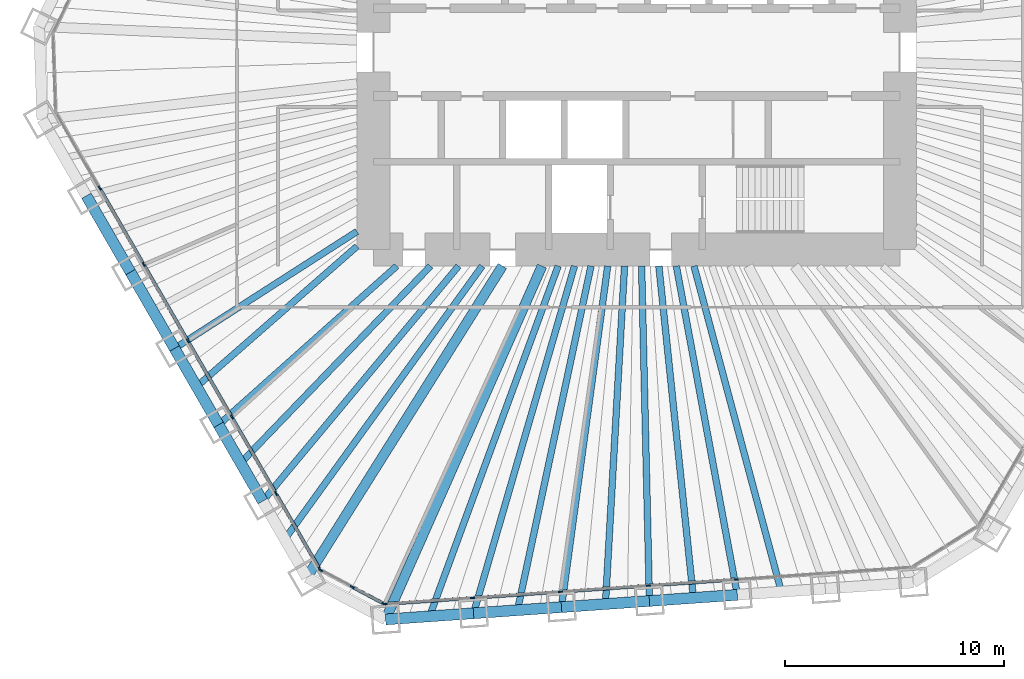
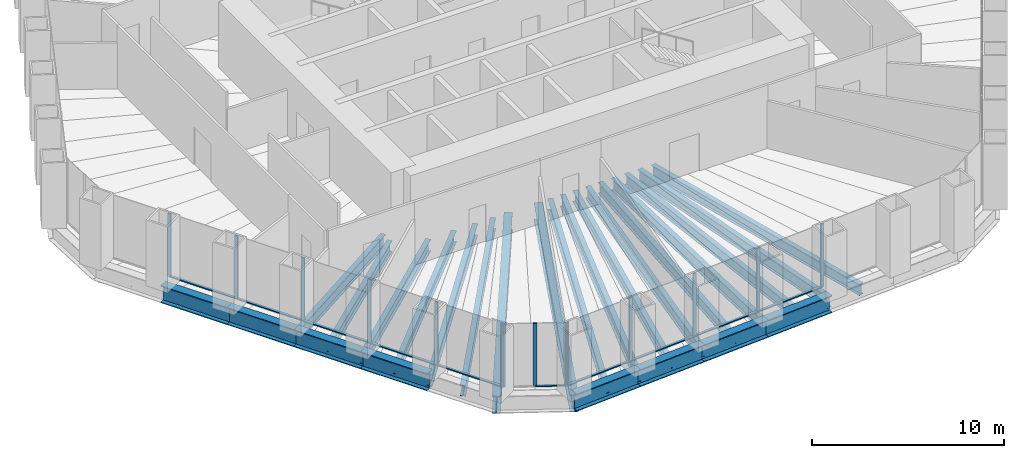
# One storey, part 2 of 13: 25 beams, 24 members, 3 elements without a shape of their own.
"""IFC4 building model written with IfcOpenShell, lengths in metres."""

import ifcopenshell
import ifcopenshell.guid

model = None  # the IFC model being written
_history = None  # IfcOwnerHistory: only IFC2X3 demands one
_inside = {}  # id of a spatial element -> (the spatial element, [elements in it])
_under = {}  # id of a project, library or spatial element -> (it, [spatial elements below it])
_declared = {}  # id of a project -> (the project, [libraries it declares])
_typed = {}  # id of a type object -> (the type object, [elements of that type])
_made_of = {}  # id of a material, layer set ... -> (it, [elements and type objects made of it])


def new_model(schema):
    """Start an empty IFC model of exactly this schema.

    Asked for "IFC4X3", IfcOpenShell would pick the latest addendum, in which some entities
    have other attributes; the version numbers below select the first issue.
    IFC2X3 requires an IfcOwnerHistory on every rooted entity: one is made here for all.
    """
    global model, _history
    if schema == "IFC4X3":
        model = ifcopenshell.file(schema_version=(4, 3, 0, 0))
    else:
        model = ifcopenshell.file(schema=schema)
    _inside.clear()
    _under.clear()
    _declared.clear()
    _typed.clear()
    _made_of.clear()
    _history = None
    if model.schema == "IFC2X3":
        org = make("IfcOrganization", Name="unknown")
        user = make(
            "IfcPersonAndOrganization",
            ThePerson=make("IfcPerson", FamilyName="unknown"),
            TheOrganization=org,
        )
        app = make(
            "IfcApplication",
            ApplicationDeveloper=org,
            Version="unknown",
            ApplicationFullName="unknown",
            ApplicationIdentifier="unknown",
        )
        _history = make(
            "IfcOwnerHistory",
            OwningUser=user,
            OwningApplication=app,
            ChangeAction="ADDED",
            CreationDate=0,
        )
    return model


def make(cls, **values):
    """One entity of the class cls with the attributes given. An attribute that is None is left unset."""
    return model.create_entity(
        cls, **{name: value for name, value in values.items() if value is not None}
    )


def rooted(cls, **values):
    """An entity with a GlobalId (a new one), such as an element, a storey or a relation."""
    return make(cls, GlobalId=ifcopenshell.guid.new(), OwnerHistory=_history, **values)


def si_unit(unit_type, name, prefix=None):
    """IfcSIUnit, for example si_unit("LENGTHUNIT", "METRE", prefix="MILLI")."""
    return make("IfcSIUnit", UnitType=unit_type, Prefix=prefix, Name=name)


def assignment(units):
    """IfcUnitAssignment: the units of a project."""
    return None if units is None else make("IfcUnitAssignment", Units=units)


def point(xyz):
    """IfcCartesianPoint."""
    return None if xyz is None else make("IfcCartesianPoint", Coordinates=xyz)


def direction(xyz):
    """IfcDirection."""
    return None if xyz is None else make("IfcDirection", DirectionRatios=xyz)


def frame(location, z_axis=None, x_axis=None):
    """IfcAxis2Placement3D, a coordinate frame: its origin and axes. An axis left out is left unset."""
    return make(
        "IfcAxis2Placement3D",
        Location=point(location),
        Axis=direction(z_axis),
        RefDirection=direction(x_axis),
    )


def frame_2d(location, x_axis=None):
    """IfcAxis2Placement2D, a coordinate frame in the plane: its origin and x axis."""
    return make(
        "IfcAxis2Placement2D", Location=point(location), RefDirection=direction(x_axis)
    )


def origin():
    """The frame at (0, 0, 0) with its axes left unset."""
    return frame((0.0, 0.0, 0.0))


def origin_2d():
    """The frame at (0, 0) in the plane with its x axis left unset."""
    return frame_2d((0.0, 0.0))


def place(relative_to, where):
    """IfcLocalPlacement: puts the frame where relative to a parent placement (None: the world)."""
    return make(
        "IfcLocalPlacement", PlacementRelTo=relative_to, RelativePlacement=where
    )


def context(
    kind, dimensions, precision=None, world=None, true_north=None, identifier=None
):
    """IfcGeometricRepresentationContext, for example the 3D "Model" context."""
    return make(
        "IfcGeometricRepresentationContext",
        ContextIdentifier=identifier,
        ContextType=kind,
        CoordinateSpaceDimension=dimensions,
        Precision=precision,
        WorldCoordinateSystem=world,
        TrueNorth=true_north,
    )


def subcontext(parent, identifier, kind, view, scale=None):
    """IfcGeometricRepresentationSubContext, for example "Body" below "Model"."""
    return make(
        "IfcGeometricRepresentationSubContext",
        ContextIdentifier=identifier,
        ContextType=kind,
        ParentContext=parent,
        TargetScale=scale,
        TargetView=view,
    )


def project(units=None, contexts=None):
    """IfcProject with its units and contexts."""
    return rooted(
        "IfcProject",
        Name="project",
        RepresentationContexts=contexts,
        UnitsInContext=assignment(units),
    )


def spatial(cls, under=None, at=None, **own):
    """A site, building, storey or space (cls), placed at a placement, below another one or the project."""
    s = rooted(cls, ObjectPlacement=at, **own)
    if under is not None:
        _under.setdefault(under.id(), (under, []))[1].append(s)
    return s


def profile(cls, at=None, kind="AREA", **sizes):
    """A parametric profile (cls). Its sizes go by their IFC names, for example OverallWidth=200.0."""
    return make(cls, ProfileType=kind, Position=at, **sizes)


def rectangle(**sizes):
    """IfcRectangleProfileDef."""
    return profile("IfcRectangleProfileDef", **sizes)


def i_section(**sizes):
    """IfcIShapeProfileDef."""
    return profile("IfcIShapeProfileDef", **sizes)


def extrude(swept, where, along, depth):
    """IfcExtrudedAreaSolid: the profile swept, set in the frame where, extruded along a direction by depth."""
    return make(
        "IfcExtrudedAreaSolid",
        SweptArea=swept,
        Position=where,
        ExtrudedDirection=direction(along),
        Depth=depth,
    )


def shape(context_of_items, identifier, shape_type, items):
    """IfcShapeRepresentation: the items that make up one representation, for example the "Body"."""
    return make(
        "IfcShapeRepresentation",
        ContextOfItems=context_of_items,
        RepresentationIdentifier=identifier,
        RepresentationType=shape_type,
        Items=items,
    )


def material(Name=None, Category=None):
    """IfcMaterial."""
    return make("IfcMaterial", Name=Name, Category=Category)


def material_profile(
    of_material, cross_section, Name=None, Category=None, Priority=None
):
    """IfcMaterialProfile: a cross section and its material."""
    return make(
        "IfcMaterialProfile",
        Name=Name,
        Material=of_material,
        Profile=cross_section,
        Priority=Priority,
        Category=Category,
    )


def profile_set(profiles, Name=None, composite=None):
    """IfcMaterialProfileSet."""
    return make(
        "IfcMaterialProfileSet",
        Name=Name,
        MaterialProfiles=profiles,
        CompositeProfile=composite,
    )


def made_of(thing, what):
    """Note that an element or type object is made of a material, layer set ...; save() writes the relation."""
    if what is not None:
        _made_of.setdefault(what.id(), (what, []))[1].append(thing)
    return thing


def type_object(cls, material=None, **own):
    """A type object (cls), such as IfcWallType, which elements share."""
    return made_of(rooted(cls, **own), material)


def element(
    cls,
    number,
    at=None,
    inside=None,
    cuts=None,
    type_object=None,
    material=None,
    context=None,
    identifier="Body",
    shape_type=None,
    held_by="IfcProductDefinitionShape",
    body=None,
    shapes=None,
    **own,
):
    """One element of the class cls, such as IfcWall. Its Tag is "e" and its number.

    at: its placement. inside: the storey or other place that contains it. cuts: it is an
    opening in that element (IfcRelVoidsElement). A single representation is given by context,
    identifier, shape_type and body (its items); several are given by shapes. held_by: the class
    of the entity that holds the representations. save() writes the other relations.
    """
    e = rooted(cls, Tag="e%d" % number, ObjectPlacement=at, **own)
    if body is not None:
        shapes = [shape(context, identifier, shape_type, body)]
    if shapes is not None:
        e.Representation = make(held_by, Representations=shapes)
    if inside is not None:
        _inside.setdefault(inside.id(), (inside, []))[1].append(e)
    if cuts is not None:
        rooted(
            "IfcRelVoidsElement", RelatingBuildingElement=cuts, RelatedOpeningElement=e
        )
    if type_object is not None:
        _typed.setdefault(type_object.id(), (type_object, []))[1].append(e)
    return made_of(e, material)


def aggregate(whole, parts):
    """IfcRelAggregates: a whole, such as a stair, and the parts it consists of."""
    return rooted("IfcRelAggregates", RelatingObject=whole, RelatedObjects=parts)


def save(model, path):
    """Write the relations noted so far, then the file.

    IfcRelAggregates (storeys below a building ...), IfcRelContainedInSpatialStructure (elements
    in a storey), IfcRelDefinesByType, IfcRelAssociatesMaterial and IfcRelDeclares: one each for
    every whole, place, type object, material and project.
    """
    for whole, parts in _under.values():
        aggregate(whole, parts)
    for where, things in _inside.values():
        rooted(
            "IfcRelContainedInSpatialStructure",
            RelatedElements=things,
            RelatingStructure=where,
        )
    for kind, things in _typed.values():
        rooted("IfcRelDefinesByType", RelatedObjects=things, RelatingType=kind)
    for what, things in _made_of.values():
        rooted("IfcRelAssociatesMaterial", RelatedObjects=things, RelatingMaterial=what)
    for by, libraries in _declared.values():
        rooted("IfcRelDeclares", RelatingContext=by, RelatedDefinitions=libraries)
    model.write(path)


model = new_model("IFC4")

# Units and contexts
model_context = context("Model", 3, precision=1e-05, world=origin(), true_north=direction((0.0, 1.0)))
body_context = subcontext(model_context, "Body", "Model", "MODEL_VIEW")
ifc_project = project(units=[si_unit("LENGTHUNIT", "METRE"), si_unit("AREAUNIT", "SQUARE_METRE"), si_unit("VOLUMEUNIT", "CUBIC_METRE"), si_unit("PLANEANGLEUNIT", "RADIAN"), si_unit("MASSUNIT", "GRAM", prefix="KILO")], contexts=[model_context])

# Site, building, storey
site_placement = place(None, origin())
site = spatial("IfcSite", under=ifc_project, at=site_placement, CompositionType="ELEMENT")
building_placement = place(site_placement, origin())
building = spatial("IfcBuilding", under=site, at=building_placement, Name="Qingtian Harvest Tower", CompositionType="ELEMENT")
storey_placement = place(building_placement, frame((0.0, 0.0, 166.0)))
storey = spatial("IfcBuildingStorey", under=building, at=storey_placement, Name="L35", CompositionType="ELEMENT", Elevation=166.0)

# Beams
ifc_material_1 = material(Name="Steel SM570MC", Category="steel")
ifc_material_profile_1 = material_profile(ifc_material_1, i_section(OverallWidth=0.449951171875, OverallDepth=1.10009765625, WebThickness=0.02197265625, FlangeThickness=0.044921875, at=origin_2d()), Name="H1100x450x22x45")
ifc_profile_set_1 = profile_set([ifc_material_profile_1], Name="Steel SM570MC")
beam_type_1 = type_object("IfcBeamType", Name="Corner floor beam FB8 H1100x450x22x45", PredefinedType="BEAM", material=ifc_profile_set_1)
beam_1_placement = place(storey_placement, frame((-11.445556640625, -25.861328125, -0.719970703125), z_axis=(0.404705702755, 0.914446988161, 0.0), x_axis=(-0.914446988161, 0.404705702755, 0.0)))
element("IfcBeam", 1, at=beam_1_placement, inside=storey, type_object=beam_type_1, Name="Floor beam FB8 S6", PredefinedType="BEAM", context=body_context, shape_type="SweptSolid", body=[
    extrude(i_section(OverallWidth=0.449951171875, OverallDepth=1.10009765625, WebThickness=0.02197265625, FlangeThickness=0.044921875, at=origin_2d()), origin(), (0.0, 0.0, 1.0), 17.61865234375),
])
beam_2_placement = place(storey_placement, frame((-15.039794921875, -23.950439453125, -0.719970703125), z_axis=(0.531797274443, 0.846871689747, 0.0), x_axis=(-0.846871689747, 0.531797274443, 0.0)))
element("IfcBeam", 2, at=beam_2_placement, inside=storey, type_object=beam_type_1, Name="Floor beam FB8 SW0", PredefinedType="BEAM", context=body_context, shape_type="SweptSolid", body=[
    extrude(i_section(OverallWidth=0.449951171875, OverallDepth=1.10009765625, WebThickness=0.02197265625, FlangeThickness=0.044921875, at=origin_2d()), origin(), (0.0, 0.0, 1.0), 16.76806640625),
])
ifc_material_2 = material(Name="Steel SN490B", Category="steel")
ifc_material_profile_2 = material_profile(ifc_material_2, i_section(OverallWidth=0.300048828125, OverallDepth=0.75, WebThickness=0.013916015625, FlangeThickness=0.02490234375, at=origin_2d()), Name="H750x300x14x25")
ifc_profile_set_2 = profile_set([ifc_material_profile_2], Name="Steel SN490B")
beam_type_2 = type_object("IfcBeamType", Name="Floor beam FB12 H750x300x14x25", PredefinedType="BEAM", material=ifc_profile_set_2)
beam_3_placement = place(storey_placement, frame((4.591552734375, -24.739990234375, -0.544921875), z_axis=(-0.182473442032, 0.983210782565, 0.0), x_axis=(-0.983210782565, -0.182473442032, 0.0)))
element("IfcBeam", 3, at=beam_3_placement, inside=storey, type_object=beam_type_2, Name="Floor beam FB12 S2", PredefinedType="BEAM", context=body_context, shape_type="SweptSolid", body=[
    extrude(i_section(OverallWidth=0.300048828125, OverallDepth=0.75, WebThickness=0.013916015625, FlangeThickness=0.02490234375, at=origin_2d()), origin(), (0.0, 0.0, 1.0), 15.245849609375),
])
beam_4_placement = place(storey_placement, frame((0.582275390625, -25.020263671875, -0.544921875), z_axis=(-0.023272189962, 0.999729165912, 0.0), x_axis=(-0.999729165912, -0.023272189962, 0.0)))
element("IfcBeam", 4, at=beam_4_placement, inside=storey, type_object=beam_type_2, Name="Floor beam FB12 S3", PredefinedType="BEAM", context=body_context, shape_type="SweptSolid", body=[
    extrude(i_section(OverallWidth=0.300048828125, OverallDepth=0.75, WebThickness=0.013916015625, FlangeThickness=0.02490234375, at=origin_2d()), origin(), (0.0, 0.0, 1.0), 15.2744140625),
])
beam_5_placement = place(storey_placement, frame((-3.427001953125, -25.30078125, -0.544921875), z_axis=(0.134230066005, 0.990950195207, 0.0), x_axis=(-0.990950195207, 0.134230066005, 0.0)))
element("IfcBeam", 5, at=beam_5_placement, inside=storey, type_object=beam_type_2, Name="Floor beam FB12 S4", PredefinedType="BEAM", context=body_context, shape_type="SweptSolid", body=[
    extrude(i_section(OverallWidth=0.300048828125, OverallDepth=0.75, WebThickness=0.013916015625, FlangeThickness=0.02490234375, at=origin_2d()), origin(), (0.0, 0.0, 1.0), 15.69287109375),
])
beam_6_placement = place(storey_placement, frame((-7.436279296875, -25.5810546875, -0.544921875), z_axis=(0.279142362954, 0.960249728562, 0.0), x_axis=(-0.960249728562, 0.279142362954, 0.0)))
element("IfcBeam", 6, at=beam_6_placement, inside=storey, type_object=beam_type_2, Name="Floor beam FB12 S5", PredefinedType="BEAM", context=body_context, shape_type="SweptSolid", body=[
    extrude(i_section(OverallWidth=0.300048828125, OverallDepth=0.75, WebThickness=0.013916015625, FlangeThickness=0.02490234375, at=origin_2d()), origin(), (0.0, 0.0, 1.0), 16.486328125),
])
beam_7_placement = place(storey_placement, frame((-17.04931640625, -20.4697265625, -0.544921875), z_axis=(0.639988150605, 0.768384778015, 0.0), x_axis=(-0.768384778015, 0.639988150605, 0.0)))
element("IfcBeam", 7, at=beam_7_placement, inside=storey, type_object=beam_type_2, Name="Floor beam FB12 SW1", PredefinedType="BEAM", context=body_context, shape_type="SweptSolid", body=[
    extrude(i_section(OverallWidth=0.300048828125, OverallDepth=0.75, WebThickness=0.013916015625, FlangeThickness=0.02490234375, at=origin_2d()), origin(), (0.0, 0.0, 1.0), 13.950927734375),
])
beam_8_placement = place(storey_placement, frame((-19.058837890625, -16.989013671875, -0.544921875), z_axis=(0.746483707908, 0.665403692376, 0.0), x_axis=(-0.665403692376, 0.746483707908, 0.0)))
element("IfcBeam", 8, at=beam_8_placement, inside=storey, type_object=beam_type_2, Name="Floor beam FB12 SW2", PredefinedType="BEAM", context=body_context, shape_type="SweptSolid", body=[
    extrude(i_section(OverallWidth=0.300048828125, OverallDepth=0.75, WebThickness=0.013916015625, FlangeThickness=0.02490234375, at=origin_2d()), origin(), (0.0, 0.0, 1.0), 10.879150390625),
])
beam_9_placement = place(storey_placement, frame((-21.068359375, -13.508544921875, -0.544921875), z_axis=(0.841823295753, 0.539753220211, 0.0), x_axis=(-0.539753220211, 0.841823295753, 0.0)))
element("IfcBeam", 9, at=beam_9_placement, inside=storey, type_object=beam_type_2, Name="Floor beam FB12 SW3", PredefinedType="BEAM", context=body_context, shape_type="SweptSolid", body=[
    extrude(i_section(OverallWidth=0.300048828125, OverallDepth=0.75, WebThickness=0.013916015625, FlangeThickness=0.02490234375, at=origin_2d()), origin(), (0.0, 0.0, 1.0), 9.88134765625),
])
ifc_material_3 = material(Name="Steel SN490B", Category="steel")
ifc_material_profile_3 = material_profile(ifc_material_3, i_section(OverallWidth=0.300048828125, OverallDepth=0.699951171875, WebThickness=0.012939453125, FlangeThickness=0.02392578125, at=origin_2d()), Name="H700x300x13x24")
ifc_profile_set_3 = profile_set([ifc_material_profile_3], Name="Steel SN490B")
beam_type_3 = type_object("IfcBeamType", Name="Floor joist J2 H700x300x13x24", PredefinedType="JOIST", material=ifc_profile_set_3)
beam_10_placement = place(storey_placement, frame((6.59619140625, -24.599853515625, -0.52001953125), z_axis=(-0.258996688759, 0.965878209306, 0.0), x_axis=(-0.965878209306, -0.258996688759, 0.0)))
element("IfcBeam", 10, at=beam_10_placement, inside=storey, type_object=beam_type_3, Name="Floor joist J2 S1", PredefinedType="JOIST", context=body_context, shape_type="SweptSolid", body=[
    extrude(i_section(OverallWidth=0.300048828125, OverallDepth=0.699951171875, WebThickness=0.012939453125, FlangeThickness=0.02392578125, at=origin_2d()), origin(), (0.0, 0.0, 1.0), 15.37451171875),
])
beam_11_placement = place(storey_placement, frame((2.5869140625, -24.880126953125, -0.52001953125), z_axis=(-0.103423163361, 0.994637446148, 0.0), x_axis=(-0.994637446148, -0.103423163361, 0.0)))
element("IfcBeam", 11, at=beam_11_placement, inside=storey, type_object=beam_type_3, Name="Floor joist J2 S2", PredefinedType="JOIST", context=body_context, shape_type="SweptSolid", body=[
    extrude(i_section(OverallWidth=0.300048828125, OverallDepth=0.699951171875, WebThickness=0.012939453125, FlangeThickness=0.02392578125, at=origin_2d()), origin(), (0.0, 0.0, 1.0), 15.211669921875),
])
beam_12_placement = place(storey_placement, frame((-1.42236328125, -25.160400390625, -0.52001953125), z_axis=(0.05643626267, 0.998406204035, 0.0), x_axis=(-0.998406204035, 0.05643626267, 0.0)))
element("IfcBeam", 12, at=beam_12_placement, inside=storey, type_object=beam_type_3, Name="Floor joist J2 S3", PredefinedType="JOIST", context=body_context, shape_type="SweptSolid", body=[
    extrude(i_section(OverallWidth=0.300048828125, OverallDepth=0.699951171875, WebThickness=0.012939453125, FlangeThickness=0.02392578125, at=origin_2d()), origin(), (0.0, 0.0, 1.0), 15.43505859375),
])
beam_13_placement = place(storey_placement, frame((-5.431640625, -25.44091796875, -0.52001953125), z_axis=(0.208799533611, 0.977958462699, 0.0), x_axis=(-0.977958462699, 0.208799533611, 0.0)))
element("IfcBeam", 13, at=beam_13_placement, inside=storey, type_object=beam_type_3, Name="Floor joist J2 S4", PredefinedType="JOIST", context=body_context, shape_type="SweptSolid", body=[
    extrude(i_section(OverallWidth=0.300048828125, OverallDepth=0.699951171875, WebThickness=0.012939453125, FlangeThickness=0.02392578125, at=origin_2d()), origin(), (0.0, 0.0, 1.0), 16.044677734375),
])
beam_14_placement = place(storey_placement, frame((-9.44091796875, -25.72119140625, -0.52001953125), z_axis=(0.344563279886, 0.938763093732, 0.0), x_axis=(-0.938763093732, 0.344563279886, 0.0)))
element("IfcBeam", 14, at=beam_14_placement, inside=storey, type_object=beam_type_3, Name="Floor joist J2 S5", PredefinedType="JOIST", context=body_context, shape_type="SweptSolid", body=[
    extrude(i_section(OverallWidth=0.300048828125, OverallDepth=0.699951171875, WebThickness=0.012939453125, FlangeThickness=0.02392578125, at=origin_2d()), origin(), (0.0, 0.0, 1.0), 17.012939453125),
])
beam_15_placement = place(storey_placement, frame((-16.04443359375, -22.2099609375, -0.52001953125), z_axis=(0.585581016658, 0.810613886465, 0.0), x_axis=(-0.810613886465, 0.585581016658, 0.0)))
element("IfcBeam", 15, at=beam_15_placement, inside=storey, type_object=beam_type_3, Name="Floor joist J2 SW0", PredefinedType="JOIST", context=body_context, shape_type="SweptSolid", body=[
    extrude(i_section(OverallWidth=0.300048828125, OverallDepth=0.699951171875, WebThickness=0.012939453125, FlangeThickness=0.02392578125, at=origin_2d()), origin(), (0.0, 0.0, 1.0), 15.37109375),
])
beam_16_placement = place(storey_placement, frame((-18.053955078125, -18.7294921875, -0.52001953125), z_axis=(0.693999346894, 0.719975629108, 0.0), x_axis=(-0.719975629108, 0.693999346894, 0.0)))
element("IfcBeam", 16, at=beam_16_placement, inside=storey, type_object=beam_type_3, Name="Floor joist J2 SW1", PredefinedType="JOIST", context=body_context, shape_type="SweptSolid", body=[
    extrude(i_section(OverallWidth=0.300048828125, OverallDepth=0.699951171875, WebThickness=0.012939453125, FlangeThickness=0.02392578125, at=origin_2d()), origin(), (0.0, 0.0, 1.0), 12.471923828125),
])
beam_17_placement = place(storey_placement, frame((-20.063720703125, -15.248779296875, -0.52001953125), z_axis=(0.752618713562, 0.658456583228, 0.0), x_axis=(-0.658456583228, 0.752618713562, 0.0)))
element("IfcBeam", 17, at=beam_17_placement, inside=storey, type_object=beam_type_3, Name="Floor joist J2 SW2", PredefinedType="JOIST", context=body_context, shape_type="SweptSolid", body=[
    extrude(i_section(OverallWidth=0.300048828125, OverallDepth=0.699951171875, WebThickness=0.012939453125, FlangeThickness=0.02392578125, at=origin_2d()), origin(), (0.0, 0.0, 1.0), 9.7177734375),
])

# Curtain wall, members
ifc_material_4 = material(Name="Bronze-anodised aluminium curtain wall", Category="aluminium")
curtain_wall_type = type_object("IfcCurtainWallType", Name="Curtain wall CW4 office", PredefinedType="USERDEFINED", material=ifc_material_4)
curtain_wall_1_placement = place(storey_placement, origin())
curtain_wall_1 = element("IfcCurtainWall", 18, at=curtain_wall_1_placement, inside=storey, type_object=curtain_wall_type, Name="Curtain wall CW4 L35 S0-5", ObjectType="RECESSED CURTAIN WALL", PredefinedType="USERDEFINED")
ifc_material_5 = material(Name="Bronze-anodised aluminium mullion", Category="aluminium")
ifc_material_profile_4 = material_profile(ifc_material_5, rectangle(XDim=0.06494140625, YDim=0.199951171875, at=origin_2d()), Name="AL 65x200")
ifc_profile_set_4 = profile_set([ifc_material_profile_4], Name="Bronze-anodised aluminium mullion")
member_type_1 = type_object("IfcMemberType", Name="Mullion CWM 65x200", PredefinedType="MULLION", material=ifc_profile_set_4)
member_1_placement = place(storey_placement, frame((4.542724609375, -24.041748046875, 0.0), z_axis=(0.0, 0.0, 1.0), x_axis=(0.069756473744, -0.99756405026, 0.0)))
member_1 = element("IfcMember", 19, at=member_1_placement, type_object=member_type_1, Name="CW4 mullion 3", PredefinedType="MULLION", context=body_context, shape_type="SweptSolid", body=[
    extrude(rectangle(XDim=0.06494140625, YDim=0.199951171875, at=origin_2d()), origin(), (0.0, 0.0, 1.0), 4.030029296875),
])
member_2_placement = place(storey_placement, frame((0.533447265625, -24.322021484375, 0.0), z_axis=(0.0, 0.0, 1.0), x_axis=(0.069756473744, -0.99756405026, 0.0)))
member_2 = element("IfcMember", 20, at=member_2_placement, type_object=member_type_1, Name="CW4 mullion 4", PredefinedType="MULLION", context=body_context, shape_type="SweptSolid", body=[
    extrude(rectangle(XDim=0.06494140625, YDim=0.199951171875, at=origin_2d()), origin(), (0.0, 0.0, 1.0), 4.030029296875),
])
member_3_placement = place(storey_placement, frame((-3.475830078125, -24.602294921875, 0.0), z_axis=(0.0, 0.0, 1.0), x_axis=(0.069756473744, -0.99756405026, 0.0)))
member_3 = element("IfcMember", 21, at=member_3_placement, type_object=member_type_1, Name="CW4 mullion 5", PredefinedType="MULLION", context=body_context, shape_type="SweptSolid", body=[
    extrude(rectangle(XDim=0.06494140625, YDim=0.199951171875, at=origin_2d()), origin(), (0.0, 0.0, 1.0), 4.030029296875),
])
member_4_placement = place(storey_placement, frame((-7.485107421875, -24.8828125, 0.0), z_axis=(0.0, 0.0, 1.0), x_axis=(0.069756473744, -0.99756405026, 0.0)))
member_4 = element("IfcMember", 22, at=member_4_placement, type_object=member_type_1, Name="CW4 mullion 6", PredefinedType="MULLION", context=body_context, shape_type="SweptSolid", body=[
    extrude(rectangle(XDim=0.06494140625, YDim=0.199951171875, at=origin_2d()), origin(), (0.0, 0.0, 1.0), 4.030029296875),
])
member_5_placement = place(storey_placement, frame((-11.4619140625, -25.160888671875, 0.0), z_axis=(0.0, 0.0, 1.0), x_axis=(0.069756473744, -0.99756405026, 0.0)))
member_5 = element("IfcMember", 23, at=member_5_placement, type_object=member_type_1, Name="CW4 mullion 7", PredefinedType="MULLION", context=body_context, shape_type="SweptSolid", body=[
    extrude(rectangle(XDim=0.06494140625, YDim=0.199951171875, at=origin_2d()), origin(), (0.0, 0.0, 1.0), 4.030029296875),
])

curtain_wall_2_placement = place(storey_placement, origin())
curtain_wall_2 = element("IfcCurtainWall", 24, at=curtain_wall_2_placement, inside=storey, type_object=curtain_wall_type, Name="Curtain wall CW4 L35 SC", ObjectType="RECESSED CURTAIN WALL", PredefinedType="USERDEFINED")
member_6_placement = place(storey_placement, frame((-11.523193359375, -25.14794921875, 0.0), z_axis=(0.0, 0.0, 1.0), x_axis=(-0.469471562786, -0.882947592859, 0.0)))
member_6 = element("IfcMember", 25, at=member_6_placement, type_object=member_type_1, Name="CW4 mullion 1", PredefinedType="MULLION", context=body_context, shape_type="SweptSolid", body=[
    extrude(rectangle(XDim=0.06494140625, YDim=0.199951171875, at=origin_2d()), origin(), (0.0, 0.0, 1.0), 4.030029296875),
])
member_7_placement = place(storey_placement, frame((-12.964111328125, -24.3818359375, 0.0), z_axis=(0.0, 0.0, 1.0), x_axis=(-0.469471562786, -0.882947592859, 0.0)))
member_7 = element("IfcMember", 26, at=member_7_placement, type_object=member_type_1, Name="CW4 mullion 2", PredefinedType="MULLION", context=body_context, shape_type="SweptSolid", body=[
    extrude(rectangle(XDim=0.06494140625, YDim=0.199951171875, at=origin_2d()), origin(), (0.0, 0.0, 1.0), 4.030029296875),
])
member_8_placement = place(storey_placement, frame((-14.40478515625, -23.61572265625, 0.0), z_axis=(0.0, 0.0, 1.0), x_axis=(-0.469471562786, -0.882947592859, 0.0)))
member_8 = element("IfcMember", 27, at=member_8_placement, type_object=member_type_1, Name="CW4 mullion 3", PredefinedType="MULLION", context=body_context, shape_type="SweptSolid", body=[
    extrude(rectangle(XDim=0.06494140625, YDim=0.199951171875, at=origin_2d()), origin(), (0.0, 0.0, 1.0), 4.030029296875),
])

curtain_wall_3_placement = place(storey_placement, origin())
curtain_wall_3 = element("IfcCurtainWall", 28, at=curtain_wall_3_placement, inside=storey, type_object=curtain_wall_type, Name="Curtain wall CW4 L35 SW0-5", ObjectType="RECESSED CURTAIN WALL", PredefinedType="USERDEFINED")
member_9_placement = place(storey_placement, frame((-14.44970703125, -23.572265625, 0.0), z_axis=(0.0, 0.0, 1.0), x_axis=(-0.866025403784, -0.5, 0.0)))
member_9 = element("IfcMember", 29, at=member_9_placement, type_object=member_type_1, Name="CW4 mullion 1", PredefinedType="MULLION", context=body_context, shape_type="SweptSolid", body=[
    extrude(rectangle(XDim=0.06494140625, YDim=0.199951171875, at=origin_2d()), origin(), (0.0, 0.0, 1.0), 4.030029296875),
])
member_10_placement = place(storey_placement, frame((-16.443115234375, -20.11962890625, 0.0), z_axis=(0.0, 0.0, 1.0), x_axis=(-0.866025403784, -0.5, 0.0)))
member_10 = element("IfcMember", 30, at=member_10_placement, type_object=member_type_1, Name="CW4 mullion 2", PredefinedType="MULLION", context=body_context, shape_type="SweptSolid", body=[
    extrude(rectangle(XDim=0.06494140625, YDim=0.199951171875, at=origin_2d()), origin(), (0.0, 0.0, 1.0), 4.030029296875),
])
member_11_placement = place(storey_placement, frame((-18.45263671875, -16.63916015625, 0.0), z_axis=(0.0, 0.0, 1.0), x_axis=(-0.866025403784, -0.5, 0.0)))
member_11 = element("IfcMember", 31, at=member_11_placement, type_object=member_type_1, Name="CW4 mullion 3", PredefinedType="MULLION", context=body_context, shape_type="SweptSolid", body=[
    extrude(rectangle(XDim=0.06494140625, YDim=0.199951171875, at=origin_2d()), origin(), (0.0, 0.0, 1.0), 4.030029296875),
])
member_12_placement = place(storey_placement, frame((-20.462158203125, -13.158447265625, 0.0), z_axis=(0.0, 0.0, 1.0), x_axis=(-0.866025403784, -0.5, 0.0)))
member_12 = element("IfcMember", 32, at=member_12_placement, type_object=member_type_1, Name="CW4 mullion 4", PredefinedType="MULLION", context=body_context, shape_type="SweptSolid", body=[
    extrude(rectangle(XDim=0.06494140625, YDim=0.199951171875, at=origin_2d()), origin(), (0.0, 0.0, 1.0), 4.030029296875),
])
member_13_placement = place(storey_placement, frame((-22.4716796875, -9.677978515625, 0.0), z_axis=(0.0, 0.0, 1.0), x_axis=(-0.866025403784, -0.5, 0.0)))
member_13 = element("IfcMember", 33, at=member_13_placement, type_object=member_type_1, Name="CW4 mullion 5", PredefinedType="MULLION", context=body_context, shape_type="SweptSolid", body=[
    extrude(rectangle(XDim=0.06494140625, YDim=0.199951171875, at=origin_2d()), origin(), (0.0, 0.0, 1.0), 4.030029296875),
])
member_14_placement = place(storey_placement, frame((-24.481201171875, -6.197265625, 0.0), z_axis=(0.0, 0.0, 1.0), x_axis=(-0.866025403784, -0.5, 0.0)))
member_14 = element("IfcMember", 34, at=member_14_placement, type_object=member_type_1, Name="CW4 mullion 6", PredefinedType="MULLION", context=body_context, shape_type="SweptSolid", body=[
    extrude(rectangle(XDim=0.06494140625, YDim=0.199951171875, at=origin_2d()), origin(), (0.0, 0.0, 1.0), 4.030029296875),
])

# Beams
ifc_material_6 = material(Name="Steel SM570MC", Category="steel")
ifc_material_profile_5 = material_profile(ifc_material_6, i_section(OverallWidth=0.5, OverallDepth=1.10009765625, WebThickness=0.02490234375, FlangeThickness=0.050048828125, at=origin_2d()), Name="H1100x500x25x50")
ifc_profile_set_5 = profile_set([ifc_material_profile_5], Name="Steel SM570MC")
beam_type_4 = type_object("IfcBeamType", Name="Spandrel beam SB2 H1100x500x25x50", PredefinedType="SPANDREL", material=ifc_profile_set_5)
for number, where, z_axis, x_axis, name in (
    (35, (4.591552734375, -24.739990234375, -0.550048828125), (-0.997565479251, -0.069736035208, 0.0), (0.069736035208, -0.997565479251, 0.0), "Spandrel SB2 S2"),
    (36, (0.582275390625, -25.020263671875, -0.550048828125), (-0.997561251588, -0.069796485086, 0.0), (0.069796485086, -0.997561251588, 0.0), "Spandrel SB2 S3"),
    (37, (-3.427001953125, -25.30078125, -0.550048828125), (-0.997565479251, -0.069736035208, 0.0), (0.069736035208, -0.997565479251, 0.0), "Spandrel SB2 S4"),
    (38, (-7.436279296875, -25.5810546875, -0.550048828125), (-0.997565479251, -0.069736035208, 0.0), (0.069736035208, -0.997565479251, 0.0), "Spandrel SB2 S5"),
    (39, (-17.04931640625, -20.4697265625, -0.550048828125), (-0.499987116613, 0.866032841884, 0.0), (-0.866032841884, -0.499987116613, 0.0), "Spandrel SB2 SW1"),
    (40, (-19.058837890625, -16.989013671875, -0.550048828125), (-0.500013420409, 0.866017655369, 0.0), (-0.866017655369, -0.500013420409, 0.0), "Spandrel SB2 SW2"),
    (41, (-21.068359375, -13.508544921875, -0.550048828125), (-0.499987116613, 0.866032841884, 0.0), (-0.866032841884, -0.499987116613, 0.0), "Spandrel SB2 SW3"),
    (42, (-23.077880859375, -10.02783203125, -0.550048828125), (-0.499987116613, 0.866032841884, 0.0), (-0.866032841884, -0.499987116613, 0.0), "Spandrel SB2 SW4"),
):
    element("IfcBeam", number, at=place(storey_placement, frame(where, z_axis=z_axis, x_axis=x_axis)), inside=storey, type_object=beam_type_4, Name=name, PredefinedType="SPANDREL", context=body_context, shape_type="SweptSolid", body=[
        extrude(i_section(OverallWidth=0.5, OverallDepth=1.10009765625, WebThickness=0.02490234375, FlangeThickness=0.050048828125, at=origin_2d()), origin(), (0.0, 0.0, 1.0), 4.01904296875),
    ])

# Member
ifc_material_7 = material(Name="Bronze-anodised aluminium transom", Category="aluminium")
ifc_material_profile_6 = material_profile(ifc_material_7, rectangle(XDim=0.14990234375, YDim=0.06494140625, at=origin_2d()), Name="AL 65x150")
ifc_profile_set_6 = profile_set([ifc_material_profile_6], Name="Bronze-anodised aluminium transom")
member_type_2 = type_object("IfcMemberType", Name="Transom CWT 65x150", PredefinedType="USERDEFINED", material=ifc_profile_set_6)
member_15_placement = place(storey_placement, frame((4.51025390625, -24.0439453125, 0.032470703125), z_axis=(-0.997562922571, -0.069772598571, 0.0), x_axis=(0.069772598571, -0.997562922571, 0.0)))
member_15 = element("IfcMember", 43, at=member_15_placement, type_object=member_type_2, Name="CW4 transom 3.1", ObjectType="TRANSOM", PredefinedType="USERDEFINED", context=body_context, shape_type="SweptSolid", body=[
    extrude(rectangle(XDim=0.14990234375, YDim=0.06494140625, at=origin_2d()), origin(), (0.0, 0.0, 1.0), 3.953857421875),
])

member_16_placement = place(storey_placement, frame((0.5009765625, -24.32421875, 0.032470703125), z_axis=(-0.997562922571, -0.069772598571, 0.0), x_axis=(0.069772598571, -0.997562922571, 0.0)))
member_16 = element("IfcMember", 44, at=member_16_placement, type_object=member_type_2, Name="CW4 transom 4.1", ObjectType="TRANSOM", PredefinedType="USERDEFINED", context=body_context, shape_type="SweptSolid", body=[
    extrude(rectangle(XDim=0.14990234375, YDim=0.06494140625, at=origin_2d()), origin(), (0.0, 0.0, 1.0), 3.953857421875),
])

member_17_placement = place(storey_placement, frame((-3.50830078125, -24.604736328125, 0.032470703125), z_axis=(-0.997567218353, -0.069711153102, 0.0), x_axis=(0.069711153102, -0.997567218353, 0.0)))
member_17 = element("IfcMember", 45, at=member_17_placement, type_object=member_type_2, Name="CW4 transom 5.1", ObjectType="TRANSOM", PredefinedType="USERDEFINED", context=body_context, shape_type="SweptSolid", body=[
    extrude(rectangle(XDim=0.14990234375, YDim=0.06494140625, at=origin_2d()), origin(), (0.0, 0.0, 1.0), 3.953857421875),
])

member_18_placement = place(storey_placement, frame((-7.517578125, -24.885009765625, 0.032470703125), z_axis=(-0.997561915105, -0.069787001175, 0.0), x_axis=(0.069787001175, -0.997561915105, 0.0)))
member_18 = element("IfcMember", 46, at=member_18_placement, type_object=member_type_2, Name="CW4 transom 6.1", ObjectType="TRANSOM", PredefinedType="USERDEFINED", context=body_context, shape_type="SweptSolid", body=[
    extrude(rectangle(XDim=0.14990234375, YDim=0.06494140625, at=origin_2d()), origin(), (0.0, 0.0, 1.0), 3.921630859375),
])

aggregate(curtain_wall_1, [member_1, member_2, member_3, member_4, member_5, member_15, member_16, member_17, member_18])

member_19_placement = place(storey_placement, frame((-11.5517578125, -25.132568359375, 0.032470703125), z_axis=(-0.882960338349, 0.46944759122, 0.0), x_axis=(-0.46944759122, -0.882960338349, 0.0)))
member_19 = element("IfcMember", 47, at=member_19_placement, type_object=member_type_2, Name="CW4 transom 1.1", ObjectType="TRANSOM", PredefinedType="USERDEFINED", context=body_context, shape_type="SweptSolid", body=[
    extrude(rectangle(XDim=0.14990234375, YDim=0.06494140625, at=origin_2d()), origin(), (0.0, 0.0, 1.0), 1.56689453125),
])

aggregate(curtain_wall_2, [member_6, member_7, member_8, member_19])

member_20_placement = place(storey_placement, frame((-14.466064453125, -23.5439453125, 0.032470703125), z_axis=(-0.500002696854, 0.866023846749, 0.0), x_axis=(-0.866023846749, -0.500002696854, 0.0)))
member_20 = element("IfcMember", 48, at=member_20_placement, type_object=member_type_2, Name="CW4 transom 1.1", ObjectType="TRANSOM", PredefinedType="USERDEFINED", context=body_context, shape_type="SweptSolid", body=[
    extrude(rectangle(XDim=0.14990234375, YDim=0.06494140625, at=origin_2d()), origin(), (0.0, 0.0, 1.0), 3.92138671875),
])

member_21_placement = place(storey_placement, frame((-16.459228515625, -20.091552734375, 0.032470703125), z_axis=(-0.500003941941, 0.866023127892, 0.0), x_axis=(-0.866023127892, -0.500003941941, 0.0)))
member_21 = element("IfcMember", 49, at=member_21_placement, type_object=member_type_2, Name="CW4 transom 2.1", ObjectType="TRANSOM", PredefinedType="USERDEFINED", context=body_context, shape_type="SweptSolid", body=[
    extrude(rectangle(XDim=0.14990234375, YDim=0.06494140625, at=origin_2d()), origin(), (0.0, 0.0, 1.0), 3.9541015625),
])

member_22_placement = place(storey_placement, frame((-18.468994140625, -16.611083984375, 0.032470703125), z_axis=(-0.49993089783, 0.866065296265, 0.0), x_axis=(-0.866065296265, -0.49993089783, 0.0)))
member_22 = element("IfcMember", 50, at=member_22_placement, type_object=member_type_2, Name="CW4 transom 3.1", ObjectType="TRANSOM", PredefinedType="USERDEFINED", context=body_context, shape_type="SweptSolid", body=[
    extrude(rectangle(XDim=0.14990234375, YDim=0.06494140625, at=origin_2d()), origin(), (0.0, 0.0, 1.0), 3.9541015625),
])

member_23_placement = place(storey_placement, frame((-20.478515625, -13.13037109375, 0.032470703125), z_axis=(-0.500003941941, 0.866023127892, 0.0), x_axis=(-0.866023127892, -0.500003941941, 0.0)))
member_23 = element("IfcMember", 51, at=member_23_placement, type_object=member_type_2, Name="CW4 transom 4.1", ObjectType="TRANSOM", PredefinedType="USERDEFINED", context=body_context, shape_type="SweptSolid", body=[
    extrude(rectangle(XDim=0.14990234375, YDim=0.06494140625, at=origin_2d()), origin(), (0.0, 0.0, 1.0), 3.9541015625),
])

member_24_placement = place(storey_placement, frame((-22.488037109375, -9.649658203125, 0.032470703125), z_axis=(-0.500003941941, 0.866023127892, 0.0), x_axis=(-0.866023127892, -0.500003941941, 0.0)))
member_24 = element("IfcMember", 52, at=member_24_placement, type_object=member_type_2, Name="CW4 transom 5.1", ObjectType="TRANSOM", PredefinedType="USERDEFINED", context=body_context, shape_type="SweptSolid", body=[
    extrude(rectangle(XDim=0.14990234375, YDim=0.06494140625, at=origin_2d()), origin(), (0.0, 0.0, 1.0), 3.9541015625),
])

aggregate(curtain_wall_3, [member_9, member_10, member_11, member_12, member_13, member_14, member_20, member_21, member_22, member_23, member_24])

save(model, "model.ifc")
